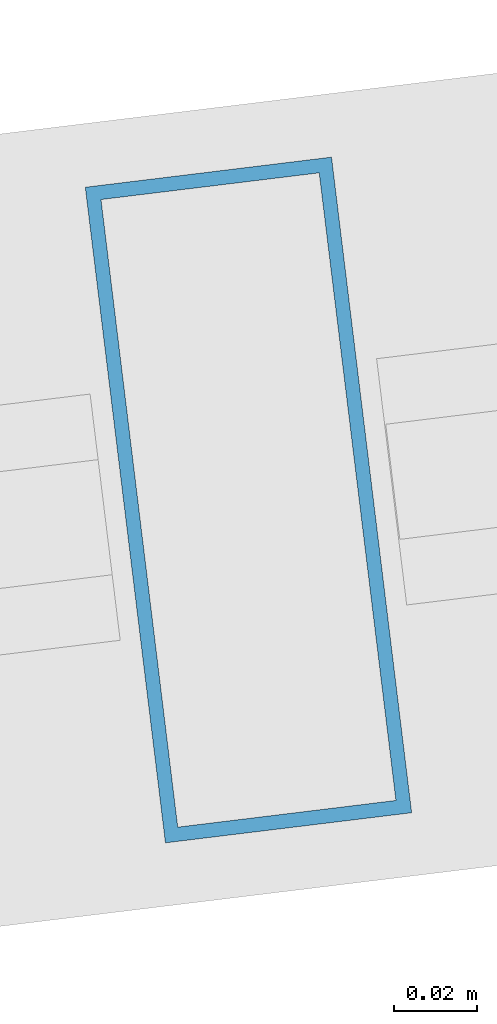
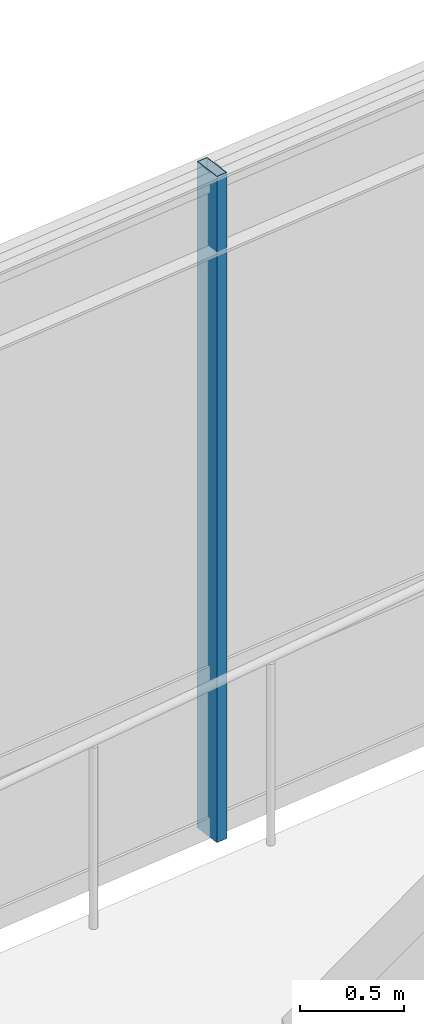
# One storey, part 22 of 78: 1 member, 1 element without a shape of its own.
"""IFC4 building model written with IfcOpenShell, lengths in metres."""

from ifc_helpers import new_model, si_unit, direction, frame, origin, origin_2d, place, context, subcontext, project, spatial, hollow_rectangle, extrude, material, material_profile, profile_set, type_object, element, aggregate, save


model = new_model("IFC4")

# Units and contexts
model_context = context("Model", 3, precision=1e-05, world=origin(), true_north=direction((0.0, 1.0)))
body_context = subcontext(model_context, "Body", "Model", "MODEL_VIEW")
ifc_project = project(units=[si_unit("LENGTHUNIT", "METRE"), si_unit("AREAUNIT", "SQUARE_METRE"), si_unit("VOLUMEUNIT", "CUBIC_METRE"), si_unit("PLANEANGLEUNIT", "RADIAN"), si_unit("MASSUNIT", "GRAM", prefix="KILO"), si_unit("THERMODYNAMICTEMPERATUREUNIT", "KELVIN"), si_unit("POWERUNIT", "WATT")], contexts=[model_context])

# Site, building, storey
site_placement = place(None, origin())
site = spatial("IfcSite", under=ifc_project, at=site_placement, CompositionType="ELEMENT")
building_placement = place(site_placement, origin())
building = spatial("IfcBuilding", under=site, at=building_placement, Name="Darbajah Civic Hall", CompositionType="ELEMENT")
storey_placement = place(building_placement, frame((0.0, 0.0, 26.39990234375)))
storey = spatial("IfcBuildingStorey", under=building, at=storey_placement, Name="L06", CompositionType="ELEMENT", Elevation=26.39990234375)

# Curtain wall, member
ifc_material_1 = material(Name="Anodised Bronze Aluminium and Low-E Glazing", Category="aluminium")
curtain_wall_type = type_object("IfcCurtainWallType", Name="Unitised Curtain Wall CW-73 12900x3900", PredefinedType="USERDEFINED", material=ifc_material_1)
curtain_wall_placement = place(storey_placement, origin())
curtain_wall = element("IfcCurtainWall", 1, at=curtain_wall_placement, inside=storey, type_object=curtain_wall_type, Name="L06 unitised curtain wall CW-V1I-L06-15", ObjectType="UNITISED CURTAIN WALL", PredefinedType="USERDEFINED")
ifc_material_2 = material(Name="Anodised Bronze Aluminium", Category="aluminium")
ifc_material_profile = material_profile(ifc_material_2, hollow_rectangle(XDim=0.06005859375, YDim=0.159912109375, WallThickness=0.00341796875, at=origin_2d()), Name="ALU MULLION 60x160")
ifc_profile_set = profile_set([ifc_material_profile], Name="Anodised Bronze Aluminium")
member_type = type_object("IfcMemberType", Name="ALU MULLION 60x160", PredefinedType="MULLION", material=ifc_profile_set)
member_placement = place(storey_placement, frame((101.33642578125, 68.644287109375, 0.0), z_axis=(0.0, 0.0, 1.0), x_axis=(0.992609826221, 0.121349630774, 0.0)))
member = element("IfcMember", 2, at=member_placement, type_object=member_type, Name="CW-V1I-L06-15 mullion 3", PredefinedType="MULLION", context=body_context, shape_type="SweptSolid", body=[
    extrude(hollow_rectangle(XDim=0.06005859375, YDim=0.159912109375, WallThickness=0.00341796875, at=origin_2d()), origin(), (0.0, 0.0, 1.0), 3.920166015625),
])
aggregate(curtain_wall, [member])

save(model, "model.ifc")
